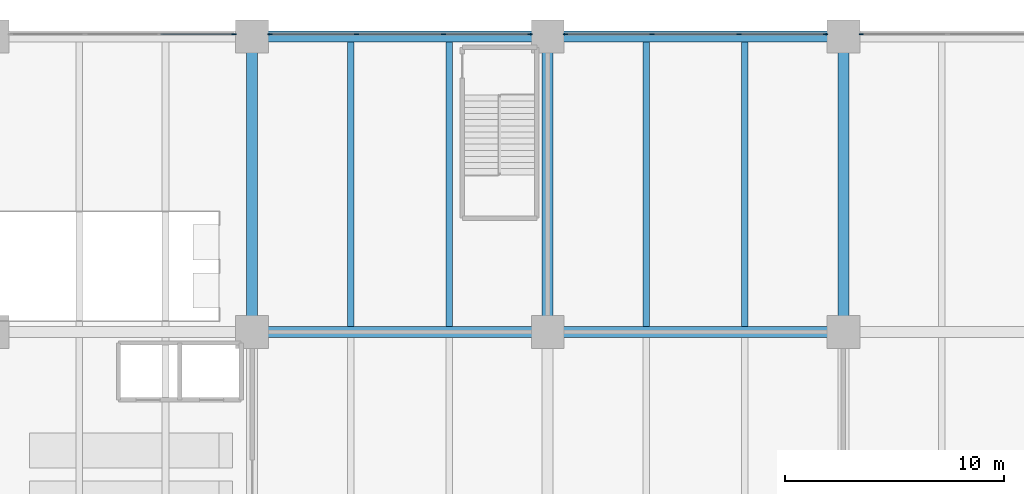
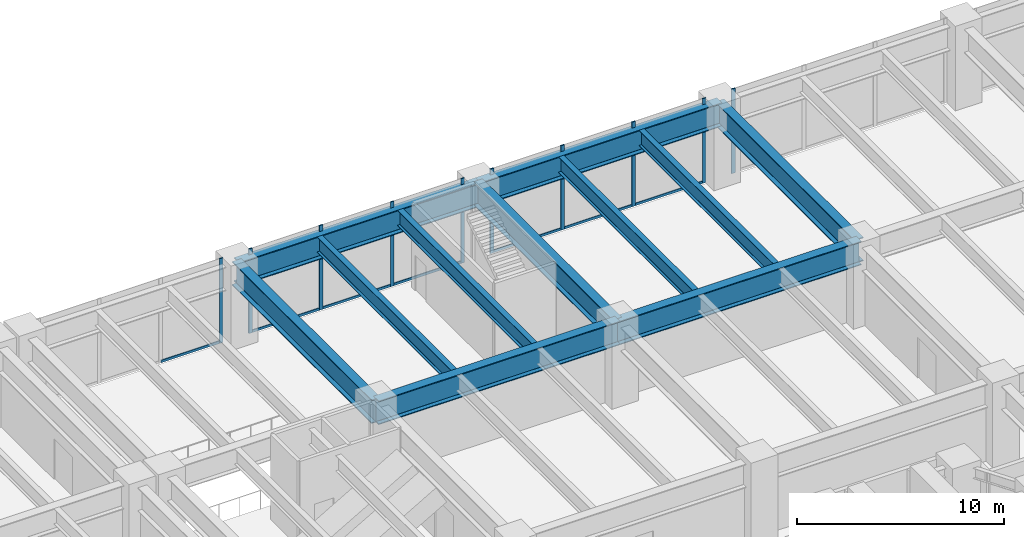
# One storey, part 16 of 32: 17 members, 11 beams, 4 elements without a shape of their own.
"""IFC4 building model written with IfcOpenShell, lengths in metres."""

import ifcopenshell
import ifcopenshell.guid

model = None  # the IFC model being written
_history = None  # IfcOwnerHistory: only IFC2X3 demands one
_inside = {}  # id of a spatial element -> (the spatial element, [elements in it])
_under = {}  # id of a project, library or spatial element -> (it, [spatial elements below it])
_declared = {}  # id of a project -> (the project, [libraries it declares])
_typed = {}  # id of a type object -> (the type object, [elements of that type])
_made_of = {}  # id of a material, layer set ... -> (it, [elements and type objects made of it])


def new_model(schema):
    """Start an empty IFC model of exactly this schema.

    Asked for "IFC4X3", IfcOpenShell would pick the latest addendum, in which some entities
    have other attributes; the version numbers below select the first issue.
    IFC2X3 requires an IfcOwnerHistory on every rooted entity: one is made here for all.
    """
    global model, _history
    if schema == "IFC4X3":
        model = ifcopenshell.file(schema_version=(4, 3, 0, 0))
    else:
        model = ifcopenshell.file(schema=schema)
    _inside.clear()
    _under.clear()
    _declared.clear()
    _typed.clear()
    _made_of.clear()
    _history = None
    if model.schema == "IFC2X3":
        org = make("IfcOrganization", Name="unknown")
        user = make(
            "IfcPersonAndOrganization",
            ThePerson=make("IfcPerson", FamilyName="unknown"),
            TheOrganization=org,
        )
        app = make(
            "IfcApplication",
            ApplicationDeveloper=org,
            Version="unknown",
            ApplicationFullName="unknown",
            ApplicationIdentifier="unknown",
        )
        _history = make(
            "IfcOwnerHistory",
            OwningUser=user,
            OwningApplication=app,
            ChangeAction="ADDED",
            CreationDate=0,
        )
    return model


def make(cls, **values):
    """One entity of the class cls with the attributes given. An attribute that is None is left unset."""
    return model.create_entity(
        cls, **{name: value for name, value in values.items() if value is not None}
    )


def rooted(cls, **values):
    """An entity with a GlobalId (a new one), such as an element, a storey or a relation."""
    return make(cls, GlobalId=ifcopenshell.guid.new(), OwnerHistory=_history, **values)


def si_unit(unit_type, name, prefix=None):
    """IfcSIUnit, for example si_unit("LENGTHUNIT", "METRE", prefix="MILLI")."""
    return make("IfcSIUnit", UnitType=unit_type, Prefix=prefix, Name=name)


def assignment(units):
    """IfcUnitAssignment: the units of a project."""
    return None if units is None else make("IfcUnitAssignment", Units=units)


def point(xyz):
    """IfcCartesianPoint."""
    return None if xyz is None else make("IfcCartesianPoint", Coordinates=xyz)


def direction(xyz):
    """IfcDirection."""
    return None if xyz is None else make("IfcDirection", DirectionRatios=xyz)


def frame(location, z_axis=None, x_axis=None):
    """IfcAxis2Placement3D, a coordinate frame: its origin and axes. An axis left out is left unset."""
    return make(
        "IfcAxis2Placement3D",
        Location=point(location),
        Axis=direction(z_axis),
        RefDirection=direction(x_axis),
    )


def frame_2d(location, x_axis=None):
    """IfcAxis2Placement2D, a coordinate frame in the plane: its origin and x axis."""
    return make(
        "IfcAxis2Placement2D", Location=point(location), RefDirection=direction(x_axis)
    )


def origin():
    """The frame at (0, 0, 0) with its axes left unset."""
    return frame((0.0, 0.0, 0.0))


def origin_2d():
    """The frame at (0, 0) in the plane with its x axis left unset."""
    return frame_2d((0.0, 0.0))


def place(relative_to, where):
    """IfcLocalPlacement: puts the frame where relative to a parent placement (None: the world)."""
    return make(
        "IfcLocalPlacement", PlacementRelTo=relative_to, RelativePlacement=where
    )


def context(
    kind, dimensions, precision=None, world=None, true_north=None, identifier=None
):
    """IfcGeometricRepresentationContext, for example the 3D "Model" context."""
    return make(
        "IfcGeometricRepresentationContext",
        ContextIdentifier=identifier,
        ContextType=kind,
        CoordinateSpaceDimension=dimensions,
        Precision=precision,
        WorldCoordinateSystem=world,
        TrueNorth=true_north,
    )


def subcontext(parent, identifier, kind, view, scale=None):
    """IfcGeometricRepresentationSubContext, for example "Body" below "Model"."""
    return make(
        "IfcGeometricRepresentationSubContext",
        ContextIdentifier=identifier,
        ContextType=kind,
        ParentContext=parent,
        TargetScale=scale,
        TargetView=view,
    )


def project(units=None, contexts=None):
    """IfcProject with its units and contexts."""
    return rooted(
        "IfcProject",
        Name="project",
        RepresentationContexts=contexts,
        UnitsInContext=assignment(units),
    )


def spatial(cls, under=None, at=None, **own):
    """A site, building, storey or space (cls), placed at a placement, below another one or the project."""
    s = rooted(cls, ObjectPlacement=at, **own)
    if under is not None:
        _under.setdefault(under.id(), (under, []))[1].append(s)
    return s


def profile(cls, at=None, kind="AREA", **sizes):
    """A parametric profile (cls). Its sizes go by their IFC names, for example OverallWidth=200.0."""
    return make(cls, ProfileType=kind, Position=at, **sizes)


def rectangle(**sizes):
    """IfcRectangleProfileDef."""
    return profile("IfcRectangleProfileDef", **sizes)


def i_section(**sizes):
    """IfcIShapeProfileDef."""
    return profile("IfcIShapeProfileDef", **sizes)


def extrude(swept, where, along, depth):
    """IfcExtrudedAreaSolid: the profile swept, set in the frame where, extruded along a direction by depth."""
    return make(
        "IfcExtrudedAreaSolid",
        SweptArea=swept,
        Position=where,
        ExtrudedDirection=direction(along),
        Depth=depth,
    )


def shape(context_of_items, identifier, shape_type, items):
    """IfcShapeRepresentation: the items that make up one representation, for example the "Body"."""
    return make(
        "IfcShapeRepresentation",
        ContextOfItems=context_of_items,
        RepresentationIdentifier=identifier,
        RepresentationType=shape_type,
        Items=items,
    )


def material(Name=None, Category=None):
    """IfcMaterial."""
    return make("IfcMaterial", Name=Name, Category=Category)


def material_profile(
    of_material, cross_section, Name=None, Category=None, Priority=None
):
    """IfcMaterialProfile: a cross section and its material."""
    return make(
        "IfcMaterialProfile",
        Name=Name,
        Material=of_material,
        Profile=cross_section,
        Priority=Priority,
        Category=Category,
    )


def profile_set(profiles, Name=None, composite=None):
    """IfcMaterialProfileSet."""
    return make(
        "IfcMaterialProfileSet",
        Name=Name,
        MaterialProfiles=profiles,
        CompositeProfile=composite,
    )


def made_of(thing, what):
    """Note that an element or type object is made of a material, layer set ...; save() writes the relation."""
    if what is not None:
        _made_of.setdefault(what.id(), (what, []))[1].append(thing)
    return thing


def type_object(cls, material=None, **own):
    """A type object (cls), such as IfcWallType, which elements share."""
    return made_of(rooted(cls, **own), material)


def element(
    cls,
    number,
    at=None,
    inside=None,
    cuts=None,
    type_object=None,
    material=None,
    context=None,
    identifier="Body",
    shape_type=None,
    held_by="IfcProductDefinitionShape",
    body=None,
    shapes=None,
    **own,
):
    """One element of the class cls, such as IfcWall. Its Tag is "e" and its number.

    at: its placement. inside: the storey or other place that contains it. cuts: it is an
    opening in that element (IfcRelVoidsElement). A single representation is given by context,
    identifier, shape_type and body (its items); several are given by shapes. held_by: the class
    of the entity that holds the representations. save() writes the other relations.
    """
    e = rooted(cls, Tag="e%d" % number, ObjectPlacement=at, **own)
    if body is not None:
        shapes = [shape(context, identifier, shape_type, body)]
    if shapes is not None:
        e.Representation = make(held_by, Representations=shapes)
    if inside is not None:
        _inside.setdefault(inside.id(), (inside, []))[1].append(e)
    if cuts is not None:
        rooted(
            "IfcRelVoidsElement", RelatingBuildingElement=cuts, RelatedOpeningElement=e
        )
    if type_object is not None:
        _typed.setdefault(type_object.id(), (type_object, []))[1].append(e)
    return made_of(e, material)


def aggregate(whole, parts):
    """IfcRelAggregates: a whole, such as a stair, and the parts it consists of."""
    return rooted("IfcRelAggregates", RelatingObject=whole, RelatedObjects=parts)


def save(model, path):
    """Write the relations noted so far, then the file.

    IfcRelAggregates (storeys below a building ...), IfcRelContainedInSpatialStructure (elements
    in a storey), IfcRelDefinesByType, IfcRelAssociatesMaterial and IfcRelDeclares: one each for
    every whole, place, type object, material and project.
    """
    for whole, parts in _under.values():
        aggregate(whole, parts)
    for where, things in _inside.values():
        rooted(
            "IfcRelContainedInSpatialStructure",
            RelatedElements=things,
            RelatingStructure=where,
        )
    for kind, things in _typed.values():
        rooted("IfcRelDefinesByType", RelatedObjects=things, RelatingType=kind)
    for what, things in _made_of.values():
        rooted("IfcRelAssociatesMaterial", RelatedObjects=things, RelatingMaterial=what)
    for by, libraries in _declared.values():
        rooted("IfcRelDeclares", RelatingContext=by, RelatedDefinitions=libraries)
    model.write(path)


model = new_model("IFC4")

# Units and contexts
model_context = context("Model", 3, precision=1e-05, world=origin(), true_north=direction((0.0, 1.0)))
body_context = subcontext(model_context, "Body", "Model", "MODEL_VIEW")
ifc_project = project(units=[si_unit("LENGTHUNIT", "METRE"), si_unit("AREAUNIT", "SQUARE_METRE"), si_unit("VOLUMEUNIT", "CUBIC_METRE"), si_unit("PLANEANGLEUNIT", "RADIAN"), si_unit("MASSUNIT", "GRAM", prefix="KILO")], contexts=[model_context])

# Site, building, storey
site_placement = place(None, origin())
site = spatial("IfcSite", under=ifc_project, at=site_placement, CompositionType="ELEMENT")
building_placement = place(site_placement, origin())
building = spatial("IfcBuilding", under=site, at=building_placement, Name="Upepo Twin Towers", CompositionType="ELEMENT")
storey_placement = place(building_placement, frame((0.0, 0.0, 10.5)))
storey = spatial("IfcBuildingStorey", under=building, at=storey_placement, Name="L02", CompositionType="ELEMENT", Elevation=10.5)

# Beams
ifc_material_1 = material(Name="Steel S355", Category="steel")
ifc_material_profile_1 = material_profile(ifc_material_1, i_section(OverallWidth=0.5, OverallDepth=1.39990234375, WebThickness=0.02490234375, FlangeThickness=0.050048828125, FilletRadius=0.008056640625, at=origin_2d()), Name="PG 1400x500x25x50")
ifc_profile_set_1 = profile_set([ifc_material_profile_1], Name="Steel S355")
beam_type_1 = type_object("IfcBeamType", Name="Beam PG 1400x500x25x50", PredefinedType="BEAM", material=ifc_profile_set_1)
for number, where, z_axis, x_axis, name in (
    (1, (40.5, 27.0, 3.949951171875), (1.0, 0.0, 0.0), (0.0, 1.0, 0.0), "Podium girder F/6-7"),
    (2, (54.0, 27.0, 3.949951171875), (1.0, 0.0, 0.0), (0.0, 1.0, 0.0), "Podium girder F/7-8"),
    (3, (40.5, 40.5, 3.949951171875), (1.0, 0.0, 0.0), (0.0, 1.0, 0.0), "Podium girder G/6-7"),
    (4, (54.0, 40.5, 3.949951171875), (1.0, 0.0, 0.0), (0.0, 1.0, 0.0), "Podium girder G/7-8"),
    (5, (40.5, 27.0, 3.949951171875), (0.0, 1.0, 0.0), (-1.0, 0.0, 0.0), "Podium girder 6/F-G"),
    (6, (54.0, 27.0, 3.949951171875), (0.0, 1.0, 0.0), (-1.0, 0.0, 0.0), "Podium girder 7/F-G"),
    (7, (67.5, 27.0, 3.949951171875), (0.0, 1.0, 0.0), (-1.0, 0.0, 0.0), "Podium girder 8/F-G"),
):
    element("IfcBeam", number, at=place(storey_placement, frame(where, z_axis=z_axis, x_axis=x_axis)), inside=storey, type_object=beam_type_1, Name=name, PredefinedType="BEAM", context=body_context, shape_type="SweptSolid", body=[
        extrude(i_section(OverallWidth=0.5, OverallDepth=1.39990234375, WebThickness=0.02490234375, FlangeThickness=0.050048828125, FilletRadius=0.008056640625, at=origin_2d()), origin(), (0.0, 0.0, 1.0), 13.5),
    ])

# Curtain wall, member
ifc_material_2 = material(Name="Aluminium and clear glass", Category="aluminium")
curtain_wall_type = type_object("IfcCurtainWallType", Name="Podium curtain wall PW1", PredefinedType="NOTDEFINED", material=ifc_material_2)
curtain_wall_1_placement = place(storey_placement, origin())
curtain_wall_1 = element("IfcCurtainWall", 8, at=curtain_wall_1_placement, inside=storey, type_object=curtain_wall_type, Name="Podium L02 curtain wall N2", PredefinedType="NOTDEFINED")
ifc_material_3 = material(Name="Aluminium mullion", Category="aluminium")
ifc_material_profile_2 = material_profile(ifc_material_3, rectangle(XDim=0.06494140625, YDim=0.199951171875, at=origin_2d()), Name="MULLION 65x200 PODIUM")
ifc_profile_set_2 = profile_set([ifc_material_profile_2], Name="Aluminium mullion")
member_type_1 = type_object("IfcMemberType", Name="Mullion 65x200 PW1", PredefinedType="MULLION", material=ifc_profile_set_2)
member_1_placement = place(storey_placement, frame((68.3173828125, 40.60009765625, 0.0), z_axis=(0.0, 0.0, 1.0), x_axis=(0.0, -1.0, 0.0)))
member_1 = element("IfcMember", 9, at=member_1_placement, type_object=member_type_1, Name="Podium L02 curtain wall N2 mullion 4", PredefinedType="MULLION", context=body_context, shape_type="SweptSolid", body=[
    extrude(rectangle(XDim=0.06494140625, YDim=0.199951171875, at=origin_2d()), origin(), (0.0, 0.0, 1.0), 5.0),
])
aggregate(curtain_wall_1, [member_1])

# Curtain wall, members
curtain_wall_2_placement = place(storey_placement, origin())
curtain_wall_2 = element("IfcCurtainWall", 10, at=curtain_wall_2_placement, inside=storey, type_object=curtain_wall_type, Name="Podium L02 curtain wall N3", PredefinedType="NOTDEFINED")
member_2_placement = place(storey_placement, frame((66.6826171875, 40.60009765625, 0.0), z_axis=(0.0, 0.0, 1.0), x_axis=(0.0, -1.0, 0.0)))
member_2 = element("IfcMember", 11, at=member_2_placement, type_object=member_type_1, Name="Podium L02 curtain wall N3 mullion 1", PredefinedType="MULLION", context=body_context, shape_type="SweptSolid", body=[
    extrude(rectangle(XDim=0.06494140625, YDim=0.199951171875, at=origin_2d()), origin(), (0.0, 0.0, 1.0), 5.0),
])
member_3_placement = place(storey_placement, frame((62.73828125, 40.60009765625, 0.0), z_axis=(0.0, 0.0, 1.0), x_axis=(0.0, -1.0, 0.0)))
member_3 = element("IfcMember", 12, at=member_3_placement, type_object=member_type_1, Name="Podium L02 curtain wall N3 mullion 2", PredefinedType="MULLION", context=body_context, shape_type="SweptSolid", body=[
    extrude(rectangle(XDim=0.06494140625, YDim=0.199951171875, at=origin_2d()), origin(), (0.0, 0.0, 1.0), 5.0),
])
member_4_placement = place(storey_placement, frame((58.76171875, 40.60009765625, 0.0), z_axis=(0.0, 0.0, 1.0), x_axis=(0.0, -1.0, 0.0)))
member_4 = element("IfcMember", 13, at=member_4_placement, type_object=member_type_1, Name="Podium L02 curtain wall N3 mullion 3", PredefinedType="MULLION", context=body_context, shape_type="SweptSolid", body=[
    extrude(rectangle(XDim=0.06494140625, YDim=0.199951171875, at=origin_2d()), origin(), (0.0, 0.0, 1.0), 5.0),
])
member_5_placement = place(storey_placement, frame((54.8173828125, 40.60009765625, 0.0), z_axis=(0.0, 0.0, 1.0), x_axis=(0.0, -1.0, 0.0)))
member_5 = element("IfcMember", 14, at=member_5_placement, type_object=member_type_1, Name="Podium L02 curtain wall N3 mullion 4", PredefinedType="MULLION", context=body_context, shape_type="SweptSolid", body=[
    extrude(rectangle(XDim=0.06494140625, YDim=0.199951171875, at=origin_2d()), origin(), (0.0, 0.0, 1.0), 5.0),
])

curtain_wall_3_placement = place(storey_placement, origin())
curtain_wall_3 = element("IfcCurtainWall", 15, at=curtain_wall_3_placement, inside=storey, type_object=curtain_wall_type, Name="Podium L02 curtain wall N4", PredefinedType="NOTDEFINED")
member_6_placement = place(storey_placement, frame((53.1826171875, 40.60009765625, 0.0), z_axis=(0.0, 0.0, 1.0), x_axis=(0.0, -1.0, 0.0)))
member_6 = element("IfcMember", 16, at=member_6_placement, type_object=member_type_1, Name="Podium L02 curtain wall N4 mullion 1", PredefinedType="MULLION", context=body_context, shape_type="SweptSolid", body=[
    extrude(rectangle(XDim=0.06494140625, YDim=0.199951171875, at=origin_2d()), origin(), (0.0, 0.0, 1.0), 5.0),
])
member_7_placement = place(storey_placement, frame((49.23828125, 40.60009765625, 0.0), z_axis=(0.0, 0.0, 1.0), x_axis=(0.0, -1.0, 0.0)))
member_7 = element("IfcMember", 17, at=member_7_placement, type_object=member_type_1, Name="Podium L02 curtain wall N4 mullion 2", PredefinedType="MULLION", context=body_context, shape_type="SweptSolid", body=[
    extrude(rectangle(XDim=0.06494140625, YDim=0.199951171875, at=origin_2d()), origin(), (0.0, 0.0, 1.0), 5.0),
])
member_8_placement = place(storey_placement, frame((45.26171875, 40.60009765625, 0.0), z_axis=(0.0, 0.0, 1.0), x_axis=(0.0, -1.0, 0.0)))
member_8 = element("IfcMember", 18, at=member_8_placement, type_object=member_type_1, Name="Podium L02 curtain wall N4 mullion 3", PredefinedType="MULLION", context=body_context, shape_type="SweptSolid", body=[
    extrude(rectangle(XDim=0.06494140625, YDim=0.199951171875, at=origin_2d()), origin(), (0.0, 0.0, 1.0), 5.0),
])
member_9_placement = place(storey_placement, frame((41.3173828125, 40.60009765625, 0.0), z_axis=(0.0, 0.0, 1.0), x_axis=(0.0, -1.0, 0.0)))
member_9 = element("IfcMember", 19, at=member_9_placement, type_object=member_type_1, Name="Podium L02 curtain wall N4 mullion 4", PredefinedType="MULLION", context=body_context, shape_type="SweptSolid", body=[
    extrude(rectangle(XDim=0.06494140625, YDim=0.199951171875, at=origin_2d()), origin(), (0.0, 0.0, 1.0), 5.0),
])

# Curtain wall, member
curtain_wall_4_placement = place(storey_placement, origin())
curtain_wall_4 = element("IfcCurtainWall", 20, at=curtain_wall_4_placement, inside=storey, type_object=curtain_wall_type, Name="Podium L02 curtain wall N5", PredefinedType="NOTDEFINED")
member_10_placement = place(storey_placement, frame((39.6826171875, 40.60009765625, 0.0), z_axis=(0.0, 0.0, 1.0), x_axis=(0.0, -1.0, 0.0)))
member_10 = element("IfcMember", 21, at=member_10_placement, type_object=member_type_1, Name="Podium L02 curtain wall N5 mullion 1", PredefinedType="MULLION", context=body_context, shape_type="SweptSolid", body=[
    extrude(rectangle(XDim=0.06494140625, YDim=0.199951171875, at=origin_2d()), origin(), (0.0, 0.0, 1.0), 5.0),
])

# Beams
ifc_material_4 = material(Name="Steel S355", Category="steel")
ifc_material_profile_3 = material_profile(ifc_material_4, i_section(OverallWidth=0.305419921875, OverallDepth=0.91845703125, WebThickness=0.017333984375, FlangeThickness=0.02783203125, FilletRadius=0.01904296875, at=origin_2d()), Name="UB 914x305x253")
ifc_profile_set_3 = profile_set([ifc_material_profile_3], Name="Steel S355")
beam_type_2 = type_object("IfcBeamType", Name="Secondary beam UB 914x305x253", PredefinedType="JOIST", material=ifc_profile_set_3)
for number, where, z_axis, x_axis, name in (
    (22, (45.0, 27.25, 4.19091796875), (0.0, 1.0, 0.0), (-1.0, 0.0, 0.0), "Podium secondary beam F6.1"),
    (23, (49.5, 27.25, 4.19091796875), (0.0, 1.0, 0.0), (-1.0, 0.0, 0.0), "Podium secondary beam F6.2"),
    (24, (58.5, 27.25, 4.19091796875), (0.0, 1.0, 0.0), (-1.0, 0.0, 0.0), "Podium secondary beam F7.1"),
    (25, (63.0, 27.25, 4.19091796875), (0.0, 1.0, 0.0), (-1.0, 0.0, 0.0), "Podium secondary beam F7.2"),
):
    element("IfcBeam", number, at=place(storey_placement, frame(where, z_axis=z_axis, x_axis=x_axis)), inside=storey, type_object=beam_type_2, Name=name, PredefinedType="JOIST", context=body_context, shape_type="SweptSolid", body=[
        extrude(i_section(OverallWidth=0.305419921875, OverallDepth=0.91845703125, WebThickness=0.017333984375, FlangeThickness=0.02783203125, FilletRadius=0.01904296875, at=origin_2d()), origin(), (0.0, 0.0, 1.0), 13.0),
    ])

# Member
ifc_material_5 = material(Name="Aluminium transom", Category="aluminium")
ifc_material_profile_4 = material_profile(ifc_material_5, rectangle(XDim=0.06494140625, YDim=0.14990234375, at=origin_2d()), Name="TRANSOM 65x150 PODIUM")
ifc_profile_set_4 = profile_set([ifc_material_profile_4], Name="Aluminium transom")
member_type_2 = type_object("IfcMemberType", Name="Transom 65x150 PW1", PredefinedType="USERDEFINED", material=ifc_profile_set_4)
member_11_placement = place(storey_placement, frame((66.64990234375, 40.60009765625, 0.074951171875), z_axis=(-1.0, 0.0, 0.0), x_axis=(0.0, -1.0, 0.0)))
member_11 = element("IfcMember", 26, at=member_11_placement, type_object=member_type_2, Name="Podium L02 curtain wall N3 transom 1", ObjectType="TRANSOM", PredefinedType="USERDEFINED", context=body_context, shape_type="SweptSolid", body=[
    extrude(rectangle(XDim=0.06494140625, YDim=0.14990234375, at=origin_2d()), origin(), (0.0, 0.0, 1.0), 3.879150390625),
])

member_12_placement = place(storey_placement, frame((62.705810546875, 40.60009765625, 0.074951171875), z_axis=(-1.0, 0.0, 0.0), x_axis=(0.0, -1.0, 0.0)))
member_12 = element("IfcMember", 27, at=member_12_placement, type_object=member_type_2, Name="Podium L02 curtain wall N3 transom 2", ObjectType="TRANSOM", PredefinedType="USERDEFINED", context=body_context, shape_type="SweptSolid", body=[
    extrude(rectangle(XDim=0.06494140625, YDim=0.14990234375, at=origin_2d()), origin(), (0.0, 0.0, 1.0), 3.91162109375),
])

member_13_placement = place(storey_placement, frame((58.729248046875, 40.60009765625, 0.074951171875), z_axis=(-1.0, 0.0, 0.0), x_axis=(0.0, -1.0, 0.0)))
member_13 = element("IfcMember", 28, at=member_13_placement, type_object=member_type_2, Name="Podium L02 curtain wall N3 transom 3", ObjectType="TRANSOM", PredefinedType="USERDEFINED", context=body_context, shape_type="SweptSolid", body=[
    extrude(rectangle(XDim=0.06494140625, YDim=0.14990234375, at=origin_2d()), origin(), (0.0, 0.0, 1.0), 3.879150390625),
])

aggregate(curtain_wall_2, [member_2, member_3, member_4, member_5, member_11, member_12, member_13])

member_14_placement = place(storey_placement, frame((53.14990234375, 40.60009765625, 0.074951171875), z_axis=(-1.0, 0.0, 0.0), x_axis=(0.0, -1.0, 0.0)))
member_14 = element("IfcMember", 29, at=member_14_placement, type_object=member_type_2, Name="Podium L02 curtain wall N4 transom 1", ObjectType="TRANSOM", PredefinedType="USERDEFINED", context=body_context, shape_type="SweptSolid", body=[
    extrude(rectangle(XDim=0.06494140625, YDim=0.14990234375, at=origin_2d()), origin(), (0.0, 0.0, 1.0), 3.879150390625),
])

member_15_placement = place(storey_placement, frame((49.205810546875, 40.60009765625, 0.074951171875), z_axis=(-1.0, 0.0, 0.0), x_axis=(0.0, -1.0, 0.0)))
member_15 = element("IfcMember", 30, at=member_15_placement, type_object=member_type_2, Name="Podium L02 curtain wall N4 transom 2", ObjectType="TRANSOM", PredefinedType="USERDEFINED", context=body_context, shape_type="SweptSolid", body=[
    extrude(rectangle(XDim=0.06494140625, YDim=0.14990234375, at=origin_2d()), origin(), (0.0, 0.0, 1.0), 3.91162109375),
])

member_16_placement = place(storey_placement, frame((45.229248046875, 40.60009765625, 0.074951171875), z_axis=(-1.0, 0.0, 0.0), x_axis=(0.0, -1.0, 0.0)))
member_16 = element("IfcMember", 31, at=member_16_placement, type_object=member_type_2, Name="Podium L02 curtain wall N4 transom 3", ObjectType="TRANSOM", PredefinedType="USERDEFINED", context=body_context, shape_type="SweptSolid", body=[
    extrude(rectangle(XDim=0.06494140625, YDim=0.14990234375, at=origin_2d()), origin(), (0.0, 0.0, 1.0), 3.879150390625),
])

aggregate(curtain_wall_3, [member_6, member_7, member_8, member_9, member_14, member_15, member_16])

member_17_placement = place(storey_placement, frame((39.64990234375, 40.60009765625, 0.074951171875), z_axis=(-1.0, 0.0, 0.0), x_axis=(0.0, -1.0, 0.0)))
member_17 = element("IfcMember", 32, at=member_17_placement, type_object=member_type_2, Name="Podium L02 curtain wall N5 transom 1", ObjectType="TRANSOM", PredefinedType="USERDEFINED", context=body_context, shape_type="SweptSolid", body=[
    extrude(rectangle(XDim=0.06494140625, YDim=0.14990234375, at=origin_2d()), origin(), (0.0, 0.0, 1.0), 3.3291015625),
])

aggregate(curtain_wall_4, [member_10, member_17])

save(model, "model.ifc")
